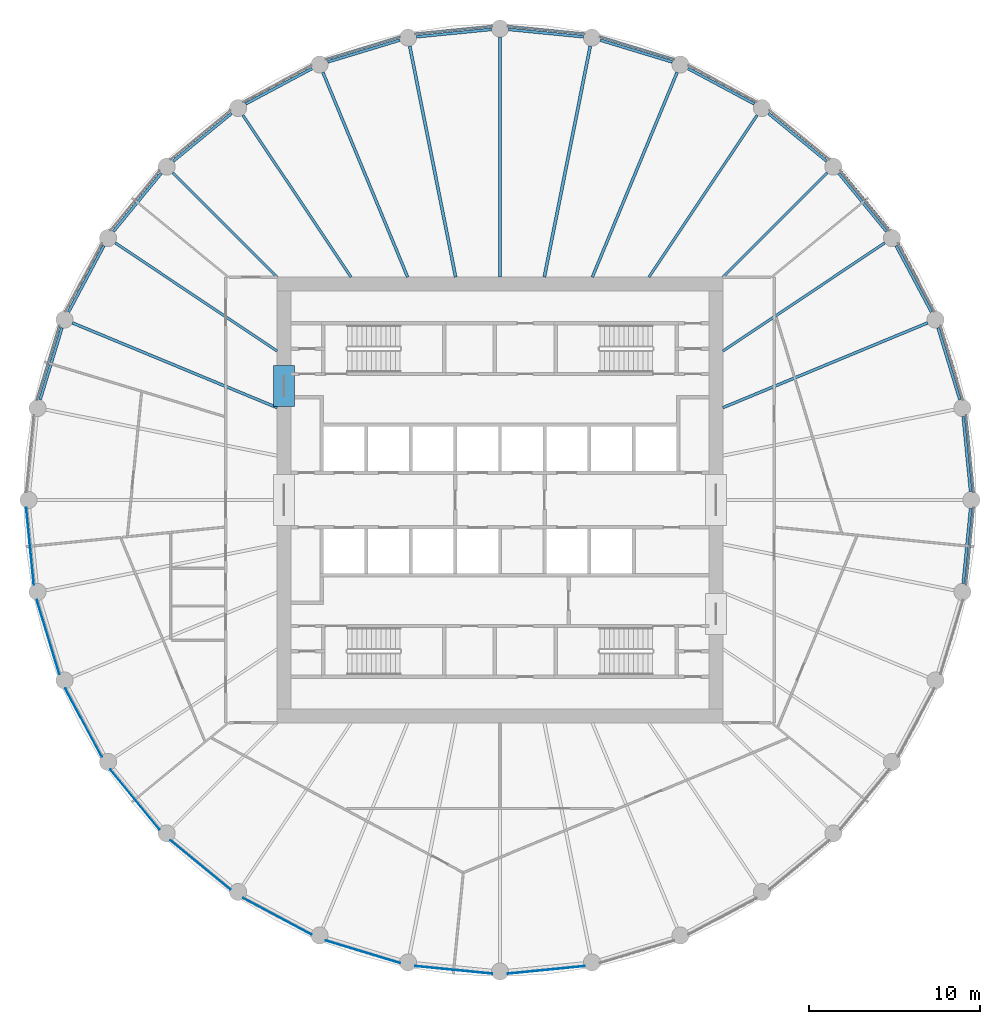
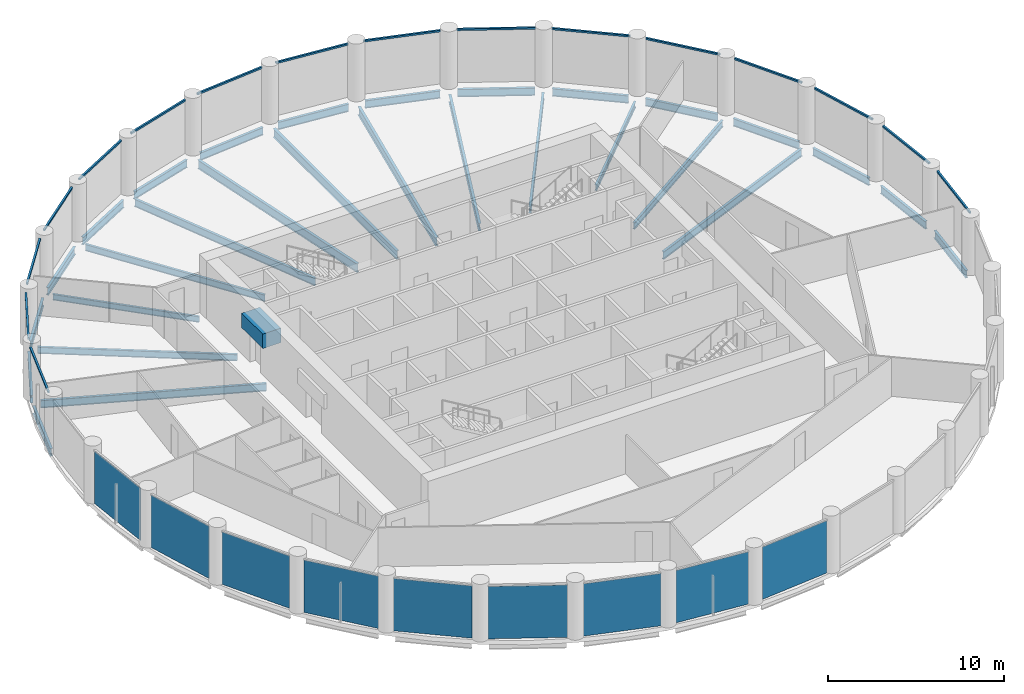
# One storey, part 2 of 8: 30 beams, 16 members, 9 plates, 25 elements without a shape of their own.
"""IFC4 building model written with IfcOpenShell, lengths in metres."""

from ifc_helpers import new_model, si_unit, direction, frame, origin, origin_2d, place, context, subcontext, project, spatial, rectangle, i_section, extrude, material, layer, layer_set, material_profile, profile_set, type_object, element, aggregate, save


model = new_model("IFC4")

# Units and contexts
model_context = context("Model", 3, precision=1e-05, world=origin(), true_north=direction((0.0, 1.0)))
body_context = subcontext(model_context, "Body", "Model", "MODEL_VIEW")
ifc_project = project(units=[si_unit("LENGTHUNIT", "METRE"), si_unit("AREAUNIT", "SQUARE_METRE"), si_unit("VOLUMEUNIT", "CUBIC_METRE"), si_unit("PLANEANGLEUNIT", "RADIAN"), si_unit("MASSUNIT", "GRAM", prefix="KILO")], contexts=[model_context])

# Site, building, storey
site_placement = place(None, origin())
site = spatial("IfcSite", under=ifc_project, at=site_placement, CompositionType="ELEMENT")
building_placement = place(site_placement, origin())
building = spatial("IfcBuilding", under=site, at=building_placement, Name="Corvane Civic Tower", CompositionType="ELEMENT")
storey_placement = place(building_placement, frame((0.0, 0.0, 229.5)))
storey = spatial("IfcBuildingStorey", under=building, at=storey_placement, Name="L54", CompositionType="ELEMENT", Elevation=229.5)

# Beams
ifc_material_1 = material(Name="Concrete C50/60", Category="concrete")
ifc_material_profile_1 = material_profile(ifc_material_1, rectangle(XDim=1.199951171875, YDim=1.0, at=origin_2d()), Name="COUPLING BEAM 1200X1000")
ifc_profile_set_1 = profile_set([ifc_material_profile_1], Name="Concrete C50/60")
beam_type_1 = type_object("IfcBeamType", Name="COUPLING BEAM COUPLING BEAM 1200X1000", PredefinedType="BEAM", material=ifc_profile_set_1)
beam_1_placement = place(storey_placement, frame((-12.60009765625, 5.449951171875, 2.60009765625), z_axis=(0.0, 1.0, 0.0), x_axis=(-1.0, 0.0, 0.0)))
element("IfcBeam", 1, at=beam_1_placement, inside=storey, type_object=beam_type_1, Name="BM-L54-cpl-CW-WN", PredefinedType="BEAM", context=body_context, shape_type="SweptSolid", body=[
    extrude(rectangle(XDim=1.199951171875, YDim=1.0, at=origin_2d()), origin(), (0.0, 0.0, 1.0), 2.400146484375),
])
ifc_material_2 = material(Name="Steel ASTM A992 Gr 50", Category="steel")
ifc_material_profile_2 = material_profile(ifc_material_2, i_section(OverallWidth=0.165771484375, OverallDepth=0.5283203125, WebThickness=0.009765625, FlangeThickness=0.013671875, at=origin_2d()), Name="W21X50")
ifc_profile_set_2 = profile_set([ifc_material_profile_2], Name="Steel ASTM A992 Gr 50")
beam_type_2 = type_object("IfcBeamType", Name="EDGE BEAM W21X50", PredefinedType="BEAM", material=ifc_profile_set_2)
beam_2_placement = place(storey_placement, frame((0.49755859375, 27.450927734375, -0.564208984375), z_axis=(0.995189593769, -0.097967711281, 0.0), x_axis=(0.097967711281, 0.995189593769, 0.0)))
element("IfcBeam", 2, at=beam_2_placement, inside=storey, type_object=beam_type_2, Name="BM-L54-E01", PredefinedType="BEAM", context=body_context, shape_type="SweptSolid", body=[
    extrude(i_section(OverallWidth=0.165771484375, OverallDepth=0.5283203125, WebThickness=0.009765625, FlangeThickness=0.013671875, at=origin_2d()), origin(), (0.0, 0.0, 1.0), 4.39111328125),
])
beam_3_placement = place(storey_placement, frame((5.843505859375, 26.826416015625, -0.564208984375), z_axis=(0.956949547653, -0.290254307888, 0.0), x_axis=(0.290254307888, 0.956949547653, 0.0)))
element("IfcBeam", 3, at=beam_3_placement, inside=storey, type_object=beam_type_2, Name="BM-L54-E02", PredefinedType="BEAM", context=body_context, shape_type="SweptSolid", body=[
    extrude(i_section(OverallWidth=0.165771484375, OverallDepth=0.5283203125, WebThickness=0.009765625, FlangeThickness=0.013671875, at=origin_2d()), origin(), (0.0, 0.0, 1.0), 4.390625),
])
for number, where, z_axis, x_axis, name in (
    (4, (10.964599609375, 25.171142578125, -0.564208984375), (0.881907756852, -0.471422006704, 0.0), (0.471422006704, 0.881907756852, 0.0), "BM-L54-E03"),
    (5, (15.66455078125, 22.54833984375, -0.564208984375), (0.773030026524, -0.634369433447, 0.0), (0.634369433447, 0.773030026524, 0.0), "BM-L54-E04"),
    (6, (19.7626953125, 19.05908203125, -0.564208984375), (0.634369433447, -0.773030026524, 0.0), (0.773030026524, 0.634369433447, 0.0), "BM-L54-E05"),
    (7, (23.10107421875, 14.837158203125, -0.564208984375), (0.471422006704, -0.881907756852, 0.0), (0.881907756852, 0.471422006704, 0.0), "BM-L54-E06"),
):
    element("IfcBeam", number, at=place(storey_placement, frame(where, z_axis=z_axis, x_axis=x_axis)), inside=storey, type_object=beam_type_2, Name=name, PredefinedType="BEAM", context=body_context, shape_type="SweptSolid", body=[
        extrude(i_section(OverallWidth=0.165771484375, OverallDepth=0.5283203125, WebThickness=0.009765625, FlangeThickness=0.013671875, at=origin_2d()), origin(), (0.0, 0.0, 1.0), 4.39111328125),
    ])
beam_4_placement = place(storey_placement, frame((25.552001953125, 10.045166015625, -0.564208984375), z_axis=(0.290254307888, -0.956949547653, 0.0), x_axis=(0.956949547653, 0.290254307888, 0.0)))
element("IfcBeam", 8, at=beam_4_placement, inside=storey, type_object=beam_type_2, Name="BM-L54-E07", PredefinedType="BEAM", context=body_context, shape_type="SweptSolid", body=[
    extrude(i_section(OverallWidth=0.165771484375, OverallDepth=0.5283203125, WebThickness=0.009765625, FlangeThickness=0.013671875, at=origin_2d()), origin(), (0.0, 0.0, 1.0), 4.390625),
])
for number, where, z_axis, x_axis, name in (
    (9, (27.020751953125, 4.867431640625, -0.564208984375), (0.097967711281, -0.995189593769, 0.0), (0.995189593769, 0.097967711281, 0.0), "BM-L54-E08"),
    (10, (27.450927734375, -0.49755859375, -0.564208984375), (-0.097967711281, -0.995189593769, 0.0), (0.995189593769, -0.097967711281, 0.0), "BM-L54-E09"),
):
    element("IfcBeam", number, at=place(storey_placement, frame(where, z_axis=z_axis, x_axis=x_axis)), inside=storey, type_object=beam_type_2, Name=name, PredefinedType="BEAM", context=body_context, shape_type="SweptSolid", body=[
        extrude(i_section(OverallWidth=0.165771484375, OverallDepth=0.5283203125, WebThickness=0.009765625, FlangeThickness=0.013671875, at=origin_2d()), origin(), (0.0, 0.0, 1.0), 4.39111328125),
    ])
beam_5_placement = place(storey_placement, frame((-26.826416015625, 5.843505859375, -0.564208984375), z_axis=(0.290254307888, 0.956949547653, 0.0), x_axis=(-0.956949547653, 0.290254307888, 0.0)))
element("IfcBeam", 11, at=beam_5_placement, inside=storey, type_object=beam_type_2, Name="BM-L54-E26", PredefinedType="BEAM", context=body_context, shape_type="SweptSolid", body=[
    extrude(i_section(OverallWidth=0.165771484375, OverallDepth=0.5283203125, WebThickness=0.009765625, FlangeThickness=0.013671875, at=origin_2d()), origin(), (0.0, 0.0, 1.0), 4.390625),
])
for number, where, z_axis, x_axis, name in (
    (12, (-25.171142578125, 10.964599609375, -0.564208984375), (0.471422006704, 0.881907756852, 0.0), (-0.881907756852, 0.471422006704, 0.0), "BM-L54-E27"),
    (13, (-22.54833984375, 15.66455078125, -0.564208984375), (0.634369433447, 0.773030026524, 0.0), (-0.773030026524, 0.634369433447, 0.0), "BM-L54-E28"),
    (14, (-19.05908203125, 19.7626953125, -0.564208984375), (0.773030026524, 0.634369433447, 0.0), (-0.634369433447, 0.773030026524, 0.0), "BM-L54-E29"),
    (15, (-14.837158203125, 23.10107421875, -0.564208984375), (0.881907756852, 0.471422006704, 0.0), (-0.471422006704, 0.881907756852, 0.0), "BM-L54-E30"),
):
    element("IfcBeam", number, at=place(storey_placement, frame(where, z_axis=z_axis, x_axis=x_axis)), inside=storey, type_object=beam_type_2, Name=name, PredefinedType="BEAM", context=body_context, shape_type="SweptSolid", body=[
        extrude(i_section(OverallWidth=0.165771484375, OverallDepth=0.5283203125, WebThickness=0.009765625, FlangeThickness=0.013671875, at=origin_2d()), origin(), (0.0, 0.0, 1.0), 4.39111328125),
    ])
beam_6_placement = place(storey_placement, frame((-10.045166015625, 25.552001953125, -0.564208984375), z_axis=(0.956949547653, 0.290254307888, 0.0), x_axis=(-0.290254307888, 0.956949547653, 0.0)))
element("IfcBeam", 16, at=beam_6_placement, inside=storey, type_object=beam_type_2, Name="BM-L54-E31", PredefinedType="BEAM", context=body_context, shape_type="SweptSolid", body=[
    extrude(i_section(OverallWidth=0.165771484375, OverallDepth=0.5283203125, WebThickness=0.009765625, FlangeThickness=0.013671875, at=origin_2d()), origin(), (0.0, 0.0, 1.0), 4.390625),
])
beam_7_placement = place(storey_placement, frame((-4.867431640625, 27.020751953125, -0.564208984375), z_axis=(0.995189593769, 0.097967711281, 0.0), x_axis=(-0.097967711281, 0.995189593769, 0.0)))
element("IfcBeam", 17, at=beam_7_placement, inside=storey, type_object=beam_type_2, Name="BM-L54-E32", PredefinedType="BEAM", context=body_context, shape_type="SweptSolid", body=[
    extrude(i_section(OverallWidth=0.165771484375, OverallDepth=0.5283203125, WebThickness=0.009765625, FlangeThickness=0.013671875, at=origin_2d()), origin(), (0.0, 0.0, 1.0), 4.39111328125),
])
ifc_material_3 = material(Name="Steel ASTM A992 Gr 50", Category="steel")
ifc_material_profile_3 = material_profile(ifc_material_3, i_section(OverallWidth=0.140380859375, OverallDepth=0.40380859375, WebThickness=0.007080078125, FlangeThickness=0.01123046875, at=origin_2d()), Name="W16X31")
ifc_profile_set_3 = profile_set([ifc_material_profile_3], Name="Steel ASTM A992 Gr 50")
beam_type_3 = type_object("IfcBeamType", Name="FLOOR GIRDER W16X31", PredefinedType="BEAM", material=ifc_profile_set_3)
for number, where, z_axis, x_axis, name in (
    (18, (13.0, 13.0, -0.501953125), (0.707106781187, 0.707106781187, 0.0), (-0.707106781187, 0.707106781187, 0.0), "BM-L54-G05"),
    (19, (-13.0, 13.0, -0.501953125), (-0.707106781187, 0.707106781187, 0.0), (-0.707106781187, -0.707106781187, 0.0), "BM-L54-G29"),
):
    element("IfcBeam", number, at=place(storey_placement, frame(where, z_axis=z_axis, x_axis=x_axis)), inside=storey, type_object=beam_type_3, Name=name, PredefinedType="BEAM", context=body_context, shape_type="SweptSolid", body=[
        extrude(i_section(OverallWidth=0.140380859375, OverallDepth=0.40380859375, WebThickness=0.007080078125, FlangeThickness=0.01123046875, at=origin_2d()), origin(), (0.0, 0.0, 1.0), 8.614990234375),
    ])
ifc_material_4 = material(Name="Steel ASTM A992 Gr 50", Category="steel")
ifc_material_profile_4 = material_profile(ifc_material_4, i_section(OverallWidth=0.15283203125, OverallDepth=0.45458984375, WebThickness=0.008056640625, FlangeThickness=0.013427734375, at=origin_2d()), Name="W18X40")
ifc_profile_set_4 = profile_set([ifc_material_profile_4], Name="Steel ASTM A992 Gr 50")
beam_type_4 = type_object("IfcBeamType", Name="FLOOR GIRDER W18X40", PredefinedType="BEAM", material=ifc_profile_set_4)
for number, where, z_axis, x_axis, name in (
    (20, (8.686279296875, 13.0, -0.52734375), (0.555577326485, 0.831464872557, 0.0), (-0.831464872557, 0.555577326485, 0.0), "BM-L54-G04"),
    (21, (13.0, 8.686279296875, -0.52734375), (0.831464872557, 0.555577326485, 0.0), (-0.555577326485, 0.831464872557, 0.0), "BM-L54-G06"),
    (22, (-13.0, 8.686279296875, -0.52734375), (-0.831464872557, 0.555577326485, 0.0), (-0.555577326485, -0.831464872557, 0.0), "BM-L54-G28"),
    (23, (-8.686279296875, 13.0, -0.52734375), (-0.555577326485, 0.831464872557, 0.0), (-0.831464872557, -0.555577326485, 0.0), "BM-L54-G30"),
):
    element("IfcBeam", number, at=place(storey_placement, frame(where, z_axis=z_axis, x_axis=x_axis)), inside=storey, type_object=beam_type_4, Name=name, PredefinedType="BEAM", context=body_context, shape_type="SweptSolid", body=[
        extrude(i_section(OverallWidth=0.15283203125, OverallDepth=0.45458984375, WebThickness=0.008056640625, FlangeThickness=0.013427734375, at=origin_2d()), origin(), (0.0, 0.0, 1.0), 11.365234375),
    ])
ifc_material_5 = material(Name="Steel ASTM A992 Gr 50", Category="steel")
ifc_material_profile_5 = material_profile(ifc_material_5, i_section(OverallWidth=0.165771484375, OverallDepth=0.5283203125, WebThickness=0.009765625, FlangeThickness=0.013671875, at=origin_2d()), Name="W21X50")
ifc_profile_set_5 = profile_set([ifc_material_profile_5], Name="Steel ASTM A992 Gr 50")
beam_type_5 = type_object("IfcBeamType", Name="FLOOR GIRDER W21X50", PredefinedType="BEAM", material=ifc_profile_set_5)
for number, where, z_axis, x_axis, name in (
    (24, (5.384765625, 13.0, -0.564208984375), (0.382686450378, 0.923878282404, 0.0), (-0.923878282404, 0.382686450378, 0.0), "BM-L54-G03"),
    (25, (13.0, 5.384765625, -0.564208984375), (0.923878282404, 0.382686450378, 0.0), (-0.382686450378, 0.923878282404, 0.0), "BM-L54-G07"),
    (26, (-13.0, 5.384765625, -0.564208984375), (-0.923878282404, 0.382686450378, 0.0), (-0.382686450378, -0.923878282404, 0.0), "BM-L54-G27"),
    (27, (-5.384765625, 13.0, -0.564208984375), (-0.382686450378, 0.923878282404, 0.0), (-0.923878282404, -0.382686450378, 0.0), "BM-L54-G31"),
):
    element("IfcBeam", number, at=place(storey_placement, frame(where, z_axis=z_axis, x_axis=x_axis)), inside=storey, type_object=beam_type_5, Name=name, PredefinedType="BEAM", context=body_context, shape_type="SweptSolid", body=[
        extrude(i_section(OverallWidth=0.165771484375, OverallDepth=0.5283203125, WebThickness=0.009765625, FlangeThickness=0.013671875, at=origin_2d()), origin(), (0.0, 0.0, 1.0), 12.928955078125),
    ])
ifc_material_6 = material(Name="Steel ASTM A992 Gr 50", Category="steel")
ifc_material_profile_6 = material_profile(ifc_material_6, i_section(OverallWidth=0.177978515625, OverallDepth=0.599365234375, WebThickness=0.010009765625, FlangeThickness=0.012939453125, at=origin_2d()), Name="W24X55")
ifc_profile_set_6 = profile_set([ifc_material_profile_6], Name="Steel ASTM A992 Gr 50")
beam_type_6 = type_object("IfcBeamType", Name="FLOOR GIRDER W24X55", PredefinedType="BEAM", material=ifc_profile_set_6)
beam_8_placement = place(storey_placement, frame((0.0, 13.0, -0.599609375), z_axis=(0.0, 1.0, 0.0), x_axis=(-1.0, 0.0, 0.0)))
element("IfcBeam", 28, at=beam_8_placement, inside=storey, type_object=beam_type_6, Name="BM-L54-G01", PredefinedType="BEAM", context=body_context, shape_type="SweptSolid", body=[
    extrude(i_section(OverallWidth=0.177978515625, OverallDepth=0.599365234375, WebThickness=0.010009765625, FlangeThickness=0.012939453125, at=origin_2d()), origin(), (0.0, 0.0, 1.0), 14.0),
])
for number, where, z_axis, x_axis, name in (
    (29, (2.5859375, 13.0, -0.599609375), (0.195077644118, 0.980787802109, 0.0), (-0.980787802109, 0.195077644118, 0.0), "BM-L54-G02"),
    (30, (-2.5859375, 13.0, -0.599609375), (-0.195077644118, 0.980787802109, 0.0), (-0.980787802109, -0.195077644118, 0.0), "BM-L54-G32"),
):
    element("IfcBeam", number, at=place(storey_placement, frame(where, z_axis=z_axis, x_axis=x_axis)), inside=storey, type_object=beam_type_6, Name=name, PredefinedType="BEAM", context=body_context, shape_type="SweptSolid", body=[
        extrude(i_section(OverallWidth=0.177978515625, OverallDepth=0.599365234375, WebThickness=0.010009765625, FlangeThickness=0.012939453125, at=origin_2d()), origin(), (0.0, 0.0, 1.0), 13.745361328125),
    ])

# Curtain wall, member
ifc_material_7 = material(Name="Anodised aluminium bronze", Category="aluminium")
curtain_wall_type = type_object("IfcCurtainWallType", Name="TOWER CW-T2 STICK CURTAIN WALL", PredefinedType="NOTDEFINED", material=ifc_material_7)
curtain_wall_1_placement = place(storey_placement, origin())
curtain_wall_1 = element("IfcCurtainWall", 31, at=curtain_wall_1_placement, inside=storey, type_object=curtain_wall_type, Name="Curtain wall CW-T2 L54 bay 01", PredefinedType="NOTDEFINED")
ifc_material_8 = material(Name="Anodised aluminium bronze", Category="aluminium")
ifc_material_profile_7 = material_profile(ifc_material_8, rectangle(XDim=0.1201171875, YDim=0.1201171875, at=origin_2d()), Name="TOWER CW-T2 TRANSOM 120x120")
ifc_profile_set_7 = profile_set([ifc_material_profile_7], Name="Anodised aluminium bronze")
member_type = type_object("IfcMemberType", Name="TOWER CW-T2 TRANSOM 120x120", PredefinedType="USERDEFINED", material=ifc_profile_set_7)
member_1_placement = place(storey_placement, frame((0.452392578125, 27.635498046875, 3.68994140625), z_axis=(0.995182207386, -0.098042715701, 0.0), x_axis=(0.098042715701, 0.995182207386, 0.0)))
member_1 = element("IfcMember", 32, at=member_1_placement, type_object=member_type, Name="Transom CW-T2 L54 01.1", ObjectType="TRANSOM", PredefinedType="USERDEFINED", context=body_context, shape_type="SweptSolid", body=[
    extrude(rectangle(XDim=0.1201171875, YDim=0.1201171875, at=origin_2d()), origin(), (0.0, 0.0, 1.0), 4.51708984375),
])
aggregate(curtain_wall_1, [member_1])

curtain_wall_2_placement = place(storey_placement, origin())
curtain_wall_2 = element("IfcCurtainWall", 33, at=curtain_wall_2_placement, inside=storey, type_object=curtain_wall_type, Name="Curtain wall CW-T2 L54 bay 02", PredefinedType="NOTDEFINED")
member_2_placement = place(storey_placement, frame((5.8349609375, 27.016357421875, 3.68994140625), z_axis=(0.956941182173, -0.2902818869, 0.0), x_axis=(0.2902818869, 0.956941182173, 0.0)))
member_2 = element("IfcMember", 34, at=member_2_placement, type_object=member_type, Name="Transom CW-T2 L54 02.1", ObjectType="TRANSOM", PredefinedType="USERDEFINED", context=body_context, shape_type="SweptSolid", body=[
    extrude(rectangle(XDim=0.1201171875, YDim=0.1201171875, at=origin_2d()), origin(), (0.0, 0.0, 1.0), 4.517333984375),
])
aggregate(curtain_wall_2, [member_2])

curtain_wall_3_placement = place(storey_placement, origin())
curtain_wall_3 = element("IfcCurtainWall", 35, at=curtain_wall_3_placement, inside=storey, type_object=curtain_wall_type, Name="Curtain wall CW-T2 L54 bay 03", PredefinedType="NOTDEFINED")
member_3_placement = place(storey_placement, frame((10.993408203125, 25.35888671875, 3.68994140625), z_axis=(0.881924695689, -0.471390317183, 0.0), x_axis=(0.471390317183, 0.881924695689, 0.0)))
member_3 = element("IfcMember", 36, at=member_3_placement, type_object=member_type, Name="Transom CW-T2 L54 03.1", ObjectType="TRANSOM", PredefinedType="USERDEFINED", context=body_context, shape_type="SweptSolid", body=[
    extrude(rectangle(XDim=0.1201171875, YDim=0.1201171875, at=origin_2d()), origin(), (0.0, 0.0, 1.0), 4.517333984375),
])
aggregate(curtain_wall_3, [member_3])

curtain_wall_4_placement = place(storey_placement, origin())
curtain_wall_4 = element("IfcCurtainWall", 37, at=curtain_wall_4_placement, inside=storey, type_object=curtain_wall_type, Name="Curtain wall CW-T2 L54 bay 04", PredefinedType="NOTDEFINED")
member_4_placement = place(storey_placement, frame((15.7294921875, 22.726806640625, 3.68994140625), z_axis=(0.773014925698, -0.634387834569, 0.0), x_axis=(0.634387834569, 0.773014925698, 0.0)))
member_4 = element("IfcMember", 38, at=member_4_placement, type_object=member_type, Name="Transom CW-T2 L54 04.1", ObjectType="TRANSOM", PredefinedType="USERDEFINED", context=body_context, shape_type="SweptSolid", body=[
    extrude(rectangle(XDim=0.1201171875, YDim=0.1201171875, at=origin_2d()), origin(), (0.0, 0.0, 1.0), 4.517333984375),
])
aggregate(curtain_wall_4, [member_4])

curtain_wall_5_placement = place(storey_placement, origin())
curtain_wall_5 = element("IfcCurtainWall", 39, at=curtain_wall_5_placement, inside=storey, type_object=curtain_wall_type, Name="Curtain wall CW-T2 L54 bay 05", PredefinedType="NOTDEFINED")
member_5_placement = place(storey_placement, frame((19.861083984375, 19.221435546875, 3.68994140625), z_axis=(0.634387834569, -0.773014925698, 0.0), x_axis=(0.773014925698, 0.634387834569, 0.0)))
member_5 = element("IfcMember", 40, at=member_5_placement, type_object=member_type, Name="Transom CW-T2 L54 05.1", ObjectType="TRANSOM", PredefinedType="USERDEFINED", context=body_context, shape_type="SweptSolid", body=[
    extrude(rectangle(XDim=0.1201171875, YDim=0.1201171875, at=origin_2d()), origin(), (0.0, 0.0, 1.0), 4.517333984375),
])
aggregate(curtain_wall_5, [member_5])

curtain_wall_6_placement = place(storey_placement, origin())
curtain_wall_6 = element("IfcCurtainWall", 41, at=curtain_wall_6_placement, inside=storey, type_object=curtain_wall_type, Name="Curtain wall CW-T2 L54 bay 06", PredefinedType="NOTDEFINED")
member_6_placement = place(storey_placement, frame((23.2294921875, 14.977294921875, 3.68994140625), z_axis=(0.471390317183, -0.881924695689, 0.0), x_axis=(0.881924695689, 0.471390317183, 0.0)))
member_6 = element("IfcMember", 42, at=member_6_placement, type_object=member_type, Name="Transom CW-T2 L54 06.1", ObjectType="TRANSOM", PredefinedType="USERDEFINED", context=body_context, shape_type="SweptSolid", body=[
    extrude(rectangle(XDim=0.1201171875, YDim=0.1201171875, at=origin_2d()), origin(), (0.0, 0.0, 1.0), 4.517333984375),
])
aggregate(curtain_wall_6, [member_6])

curtain_wall_7_placement = place(storey_placement, origin())
curtain_wall_7 = element("IfcCurtainWall", 43, at=curtain_wall_7_placement, inside=storey, type_object=curtain_wall_type, Name="Curtain wall CW-T2 L54 bay 07", PredefinedType="NOTDEFINED")
member_7_placement = place(storey_placement, frame((25.705078125, 10.15771484375, 3.68994140625), z_axis=(0.2902818869, -0.956941182173, 0.0), x_axis=(0.956941182173, 0.2902818869, 0.0)))
member_7 = element("IfcMember", 44, at=member_7_placement, type_object=member_type, Name="Transom CW-T2 L54 07.1", ObjectType="TRANSOM", PredefinedType="USERDEFINED", context=body_context, shape_type="SweptSolid", body=[
    extrude(rectangle(XDim=0.1201171875, YDim=0.1201171875, at=origin_2d()), origin(), (0.0, 0.0, 1.0), 4.517333984375),
])
aggregate(curtain_wall_7, [member_7])

curtain_wall_8_placement = place(storey_placement, origin())
curtain_wall_8 = element("IfcCurtainWall", 45, at=curtain_wall_8_placement, inside=storey, type_object=curtain_wall_type, Name="Curtain wall CW-T2 L54 bay 08", PredefinedType="NOTDEFINED")
member_8_placement = place(storey_placement, frame((27.192626953125, 4.94775390625, 3.68994140625), z_axis=(0.098042715701, -0.995182207386, 0.0), x_axis=(0.995182207386, 0.098042715701, 0.0)))
member_8 = element("IfcMember", 46, at=member_8_placement, type_object=member_type, Name="Transom CW-T2 L54 08.1", ObjectType="TRANSOM", PredefinedType="USERDEFINED", context=body_context, shape_type="SweptSolid", body=[
    extrude(rectangle(XDim=0.1201171875, YDim=0.1201171875, at=origin_2d()), origin(), (0.0, 0.0, 1.0), 4.51708984375),
])
aggregate(curtain_wall_8, [member_8])

curtain_wall_9_placement = place(storey_placement, origin())
curtain_wall_9 = element("IfcCurtainWall", 47, at=curtain_wall_9_placement, inside=storey, type_object=curtain_wall_type, Name="Curtain wall CW-T2 L54 bay 09", PredefinedType="NOTDEFINED")
member_9_placement = place(storey_placement, frame((27.635498046875, -0.452392578125, 3.68994140625), z_axis=(-0.098042715701, -0.995182207386, 0.0), x_axis=(0.995182207386, -0.098042715701, 0.0)))
member_9 = element("IfcMember", 48, at=member_9_placement, type_object=member_type, Name="Transom CW-T2 L54 09.1", ObjectType="TRANSOM", PredefinedType="USERDEFINED", context=body_context, shape_type="SweptSolid", body=[
    extrude(rectangle(XDim=0.1201171875, YDim=0.1201171875, at=origin_2d()), origin(), (0.0, 0.0, 1.0), 4.51708984375),
])
aggregate(curtain_wall_9, [member_9])

curtain_wall_10_placement = place(storey_placement, origin())
curtain_wall_10 = element("IfcCurtainWall", 49, at=curtain_wall_10_placement, inside=storey, type_object=curtain_wall_type, Name="Curtain wall CW-T2 L54 bay 26", PredefinedType="NOTDEFINED")
member_10_placement = place(storey_placement, frame((-27.016357421875, 5.8349609375, 3.68994140625), z_axis=(0.2902818869, 0.956941182173, 0.0), x_axis=(-0.956941182173, 0.2902818869, 0.0)))
member_10 = element("IfcMember", 50, at=member_10_placement, type_object=member_type, Name="Transom CW-T2 L54 26.1", ObjectType="TRANSOM", PredefinedType="USERDEFINED", context=body_context, shape_type="SweptSolid", body=[
    extrude(rectangle(XDim=0.1201171875, YDim=0.1201171875, at=origin_2d()), origin(), (0.0, 0.0, 1.0), 4.517333984375),
])
aggregate(curtain_wall_10, [member_10])

curtain_wall_11_placement = place(storey_placement, origin())
curtain_wall_11 = element("IfcCurtainWall", 51, at=curtain_wall_11_placement, inside=storey, type_object=curtain_wall_type, Name="Curtain wall CW-T2 L54 bay 27", PredefinedType="NOTDEFINED")
member_11_placement = place(storey_placement, frame((-25.35888671875, 10.993408203125, 3.68994140625), z_axis=(0.471390317183, 0.881924695689, 0.0), x_axis=(-0.881924695689, 0.471390317183, 0.0)))
member_11 = element("IfcMember", 52, at=member_11_placement, type_object=member_type, Name="Transom CW-T2 L54 27.1", ObjectType="TRANSOM", PredefinedType="USERDEFINED", context=body_context, shape_type="SweptSolid", body=[
    extrude(rectangle(XDim=0.1201171875, YDim=0.1201171875, at=origin_2d()), origin(), (0.0, 0.0, 1.0), 4.517333984375),
])
aggregate(curtain_wall_11, [member_11])

curtain_wall_12_placement = place(storey_placement, origin())
curtain_wall_12 = element("IfcCurtainWall", 53, at=curtain_wall_12_placement, inside=storey, type_object=curtain_wall_type, Name="Curtain wall CW-T2 L54 bay 28", PredefinedType="NOTDEFINED")
member_12_placement = place(storey_placement, frame((-22.726806640625, 15.7294921875, 3.68994140625), z_axis=(0.634387834569, 0.773014925698, 0.0), x_axis=(-0.773014925698, 0.634387834569, 0.0)))
member_12 = element("IfcMember", 54, at=member_12_placement, type_object=member_type, Name="Transom CW-T2 L54 28.1", ObjectType="TRANSOM", PredefinedType="USERDEFINED", context=body_context, shape_type="SweptSolid", body=[
    extrude(rectangle(XDim=0.1201171875, YDim=0.1201171875, at=origin_2d()), origin(), (0.0, 0.0, 1.0), 4.517333984375),
])
aggregate(curtain_wall_12, [member_12])

curtain_wall_13_placement = place(storey_placement, origin())
curtain_wall_13 = element("IfcCurtainWall", 55, at=curtain_wall_13_placement, inside=storey, type_object=curtain_wall_type, Name="Curtain wall CW-T2 L54 bay 29", PredefinedType="NOTDEFINED")
member_13_placement = place(storey_placement, frame((-19.221435546875, 19.861083984375, 3.68994140625), z_axis=(0.773014925698, 0.634387834569, 0.0), x_axis=(-0.634387834569, 0.773014925698, 0.0)))
member_13 = element("IfcMember", 56, at=member_13_placement, type_object=member_type, Name="Transom CW-T2 L54 29.1", ObjectType="TRANSOM", PredefinedType="USERDEFINED", context=body_context, shape_type="SweptSolid", body=[
    extrude(rectangle(XDim=0.1201171875, YDim=0.1201171875, at=origin_2d()), origin(), (0.0, 0.0, 1.0), 4.517333984375),
])
aggregate(curtain_wall_13, [member_13])

curtain_wall_14_placement = place(storey_placement, origin())
curtain_wall_14 = element("IfcCurtainWall", 57, at=curtain_wall_14_placement, inside=storey, type_object=curtain_wall_type, Name="Curtain wall CW-T2 L54 bay 30", PredefinedType="NOTDEFINED")
member_14_placement = place(storey_placement, frame((-14.977294921875, 23.2294921875, 3.68994140625), z_axis=(0.881924695689, 0.471390317183, 0.0), x_axis=(-0.471390317183, 0.881924695689, 0.0)))
member_14 = element("IfcMember", 58, at=member_14_placement, type_object=member_type, Name="Transom CW-T2 L54 30.1", ObjectType="TRANSOM", PredefinedType="USERDEFINED", context=body_context, shape_type="SweptSolid", body=[
    extrude(rectangle(XDim=0.1201171875, YDim=0.1201171875, at=origin_2d()), origin(), (0.0, 0.0, 1.0), 4.517333984375),
])
aggregate(curtain_wall_14, [member_14])

curtain_wall_15_placement = place(storey_placement, origin())
curtain_wall_15 = element("IfcCurtainWall", 59, at=curtain_wall_15_placement, inside=storey, type_object=curtain_wall_type, Name="Curtain wall CW-T2 L54 bay 31", PredefinedType="NOTDEFINED")
member_15_placement = place(storey_placement, frame((-10.15771484375, 25.705078125, 3.68994140625), z_axis=(0.956941182173, 0.2902818869, 0.0), x_axis=(-0.2902818869, 0.956941182173, 0.0)))
member_15 = element("IfcMember", 60, at=member_15_placement, type_object=member_type, Name="Transom CW-T2 L54 31.1", ObjectType="TRANSOM", PredefinedType="USERDEFINED", context=body_context, shape_type="SweptSolid", body=[
    extrude(rectangle(XDim=0.1201171875, YDim=0.1201171875, at=origin_2d()), origin(), (0.0, 0.0, 1.0), 4.517333984375),
])
aggregate(curtain_wall_15, [member_15])

curtain_wall_16_placement = place(storey_placement, origin())
curtain_wall_16 = element("IfcCurtainWall", 61, at=curtain_wall_16_placement, inside=storey, type_object=curtain_wall_type, Name="Curtain wall CW-T2 L54 bay 32", PredefinedType="NOTDEFINED")
member_16_placement = place(storey_placement, frame((-4.94775390625, 27.192626953125, 3.68994140625), z_axis=(0.995182207386, 0.098042715701, 0.0), x_axis=(-0.098042715701, 0.995182207386, 0.0)))
member_16 = element("IfcMember", 62, at=member_16_placement, type_object=member_type, Name="Transom CW-T2 L54 32.1", ObjectType="TRANSOM", PredefinedType="USERDEFINED", context=body_context, shape_type="SweptSolid", body=[
    extrude(rectangle(XDim=0.1201171875, YDim=0.1201171875, at=origin_2d()), origin(), (0.0, 0.0, 1.0), 4.51708984375),
])
aggregate(curtain_wall_16, [member_16])

# Curtain wall, plate
curtain_wall_17_placement = place(storey_placement, origin())
curtain_wall_17 = element("IfcCurtainWall", 63, at=curtain_wall_17_placement, inside=storey, type_object=curtain_wall_type, Name="Curtain wall CW-T2 L54 bay 16", PredefinedType="NOTDEFINED")
ifc_material_9 = material(Name="Tinted glass", Category="glass")
ifc_layer = layer(ifc_material_9, 0.031982421875)
ifc_layer_set = layer_set([ifc_layer], Name="Tinted glass")
plate_type = type_object("IfcPlateType", Name="TOWER CW-T2 PANEL IGU32", PredefinedType="CURTAIN_PANEL", material=ifc_layer_set)
plate_1_placement = place(storey_placement, frame((2.699951171875, -27.4140625, 0.0), z_axis=(0.0, 0.0, 1.0), x_axis=(-0.995187058378, -0.097993463235, 0.0)))
plate_1 = element("IfcPlate", 64, at=plate_1_placement, type_object=plate_type, Name="Glass panel CW-T2 L54 16.1", PredefinedType="CURTAIN_PANEL", context=body_context, shape_type="SweptSolid", body=[
    extrude(rectangle(XDim=4.517333984375, YDim=0.031982421875, at=origin_2d()), origin(), (0.0, 0.0, 1.0), 3.6298828125),
])
aggregate(curtain_wall_17, [plate_1])

curtain_wall_18_placement = place(storey_placement, origin())
curtain_wall_18 = element("IfcCurtainWall", 65, at=curtain_wall_18_placement, inside=storey, type_object=curtain_wall_type, Name="Curtain wall CW-T2 L54 bay 17", PredefinedType="NOTDEFINED")
plate_2_placement = place(storey_placement, frame((-2.699951171875, -27.4140625, 0.0), z_axis=(0.0, 0.0, 1.0), x_axis=(-0.995187058378, 0.097993463235, 0.0)))
plate_2 = element("IfcPlate", 66, at=plate_2_placement, type_object=plate_type, Name="Glass panel CW-T2 L54 17.1", PredefinedType="CURTAIN_PANEL", context=body_context, shape_type="SweptSolid", body=[
    extrude(rectangle(XDim=4.517333984375, YDim=0.031982421875, at=origin_2d()), origin(), (0.0, 0.0, 1.0), 3.6298828125),
])
aggregate(curtain_wall_18, [plate_2])

curtain_wall_19_placement = place(storey_placement, origin())
curtain_wall_19 = element("IfcCurtainWall", 67, at=curtain_wall_19_placement, inside=storey, type_object=curtain_wall_type, Name="Curtain wall CW-T2 L54 bay 18", PredefinedType="NOTDEFINED")
plate_3_placement = place(storey_placement, frame((-7.996337890625, -26.360595703125, 0.0), z_axis=(0.0, 0.0, 1.0), x_axis=(-0.956938843612, 0.290289596069, 0.0)))
plate_3 = element("IfcPlate", 68, at=plate_3_placement, type_object=plate_type, Name="Glass panel CW-T2 L54 18.1", PredefinedType="CURTAIN_PANEL", context=body_context, shape_type="SweptSolid", body=[
    extrude(rectangle(XDim=4.517333984375, YDim=0.031982421875, at=origin_2d()), origin(), (0.0, 0.0, 1.0), 3.6298828125),
])
aggregate(curtain_wall_19, [plate_3])

curtain_wall_20_placement = place(storey_placement, origin())
curtain_wall_20 = element("IfcCurtainWall", 69, at=curtain_wall_20_placement, inside=storey, type_object=curtain_wall_type, Name="Curtain wall CW-T2 L54 bay 19", PredefinedType="NOTDEFINED")
plate_4_placement = place(storey_placement, frame((-12.9853515625, -24.294189453125, 0.0), z_axis=(0.0, 0.0, 1.0), x_axis=(-0.881920381001, 0.471398389449, 0.0)))
plate_4 = element("IfcPlate", 70, at=plate_4_placement, type_object=plate_type, Name="Glass panel CW-T2 L54 19.1", PredefinedType="CURTAIN_PANEL", context=body_context, shape_type="SweptSolid", body=[
    extrude(rectangle(XDim=4.517333984375, YDim=0.031982421875, at=origin_2d()), origin(), (0.0, 0.0, 1.0), 3.6298828125),
])
aggregate(curtain_wall_20, [plate_4])

curtain_wall_21_placement = place(storey_placement, origin())
curtain_wall_21 = element("IfcCurtainWall", 71, at=curtain_wall_21_placement, inside=storey, type_object=curtain_wall_type, Name="Curtain wall CW-T2 L54 bay 20", PredefinedType="NOTDEFINED")
plate_5_placement = place(storey_placement, frame((-17.475341796875, -21.2939453125, 0.0), z_axis=(0.0, 0.0, 1.0), x_axis=(-0.773012269331, 0.634391071394, 0.0)))
plate_5 = element("IfcPlate", 72, at=plate_5_placement, type_object=plate_type, Name="Glass panel CW-T2 L54 20.1", PredefinedType="CURTAIN_PANEL", context=body_context, shape_type="SweptSolid", body=[
    extrude(rectangle(XDim=4.517333984375, YDim=0.031982421875, at=origin_2d()), origin(), (0.0, 0.0, 1.0), 3.6298828125),
])
aggregate(curtain_wall_21, [plate_5])

curtain_wall_22_placement = place(storey_placement, origin())
curtain_wall_22 = element("IfcCurtainWall", 73, at=curtain_wall_22_placement, inside=storey, type_object=curtain_wall_type, Name="Curtain wall CW-T2 L54 bay 21", PredefinedType="NOTDEFINED")
plate_6_placement = place(storey_placement, frame((-21.2939453125, -17.475341796875, 0.0), z_axis=(0.0, 0.0, 1.0), x_axis=(-0.634391071394, 0.773012269331, 0.0)))
plate_6 = element("IfcPlate", 74, at=plate_6_placement, type_object=plate_type, Name="Glass panel CW-T2 L54 21.1", PredefinedType="CURTAIN_PANEL", context=body_context, shape_type="SweptSolid", body=[
    extrude(rectangle(XDim=4.517333984375, YDim=0.031982421875, at=origin_2d()), origin(), (0.0, 0.0, 1.0), 3.6298828125),
])
aggregate(curtain_wall_22, [plate_6])

curtain_wall_23_placement = place(storey_placement, origin())
curtain_wall_23 = element("IfcCurtainWall", 75, at=curtain_wall_23_placement, inside=storey, type_object=curtain_wall_type, Name="Curtain wall CW-T2 L54 bay 22", PredefinedType="NOTDEFINED")
plate_7_placement = place(storey_placement, frame((-24.294189453125, -12.9853515625, 0.0), z_axis=(0.0, 0.0, 1.0), x_axis=(-0.471398389449, 0.881920381001, 0.0)))
plate_7 = element("IfcPlate", 76, at=plate_7_placement, type_object=plate_type, Name="Glass panel CW-T2 L54 22.1", PredefinedType="CURTAIN_PANEL", context=body_context, shape_type="SweptSolid", body=[
    extrude(rectangle(XDim=4.517333984375, YDim=0.031982421875, at=origin_2d()), origin(), (0.0, 0.0, 1.0), 3.6298828125),
])
aggregate(curtain_wall_23, [plate_7])

curtain_wall_24_placement = place(storey_placement, origin())
curtain_wall_24 = element("IfcCurtainWall", 77, at=curtain_wall_24_placement, inside=storey, type_object=curtain_wall_type, Name="Curtain wall CW-T2 L54 bay 23", PredefinedType="NOTDEFINED")
plate_8_placement = place(storey_placement, frame((-26.360595703125, -7.996337890625, 0.0), z_axis=(0.0, 0.0, 1.0), x_axis=(-0.290289596069, 0.956938843612, 0.0)))
plate_8 = element("IfcPlate", 78, at=plate_8_placement, type_object=plate_type, Name="Glass panel CW-T2 L54 23.1", PredefinedType="CURTAIN_PANEL", context=body_context, shape_type="SweptSolid", body=[
    extrude(rectangle(XDim=4.517333984375, YDim=0.031982421875, at=origin_2d()), origin(), (0.0, 0.0, 1.0), 3.6298828125),
])
aggregate(curtain_wall_24, [plate_8])

curtain_wall_25_placement = place(storey_placement, origin())
curtain_wall_25 = element("IfcCurtainWall", 79, at=curtain_wall_25_placement, inside=storey, type_object=curtain_wall_type, Name="Curtain wall CW-T2 L54 bay 24", PredefinedType="NOTDEFINED")
plate_9_placement = place(storey_placement, frame((-27.4140625, -2.699951171875, 0.0), z_axis=(0.0, 0.0, 1.0), x_axis=(-0.097993463235, 0.995187058378, 0.0)))
plate_9 = element("IfcPlate", 80, at=plate_9_placement, type_object=plate_type, Name="Glass panel CW-T2 L54 24.1", PredefinedType="CURTAIN_PANEL", context=body_context, shape_type="SweptSolid", body=[
    extrude(rectangle(XDim=4.517333984375, YDim=0.031982421875, at=origin_2d()), origin(), (0.0, 0.0, 1.0), 3.6298828125),
])
aggregate(curtain_wall_25, [plate_9])

save(model, "model.ifc")
